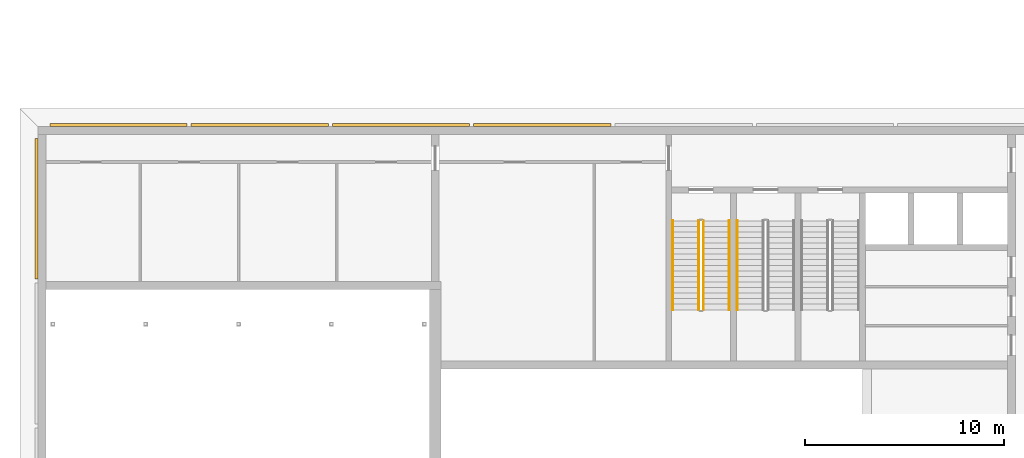
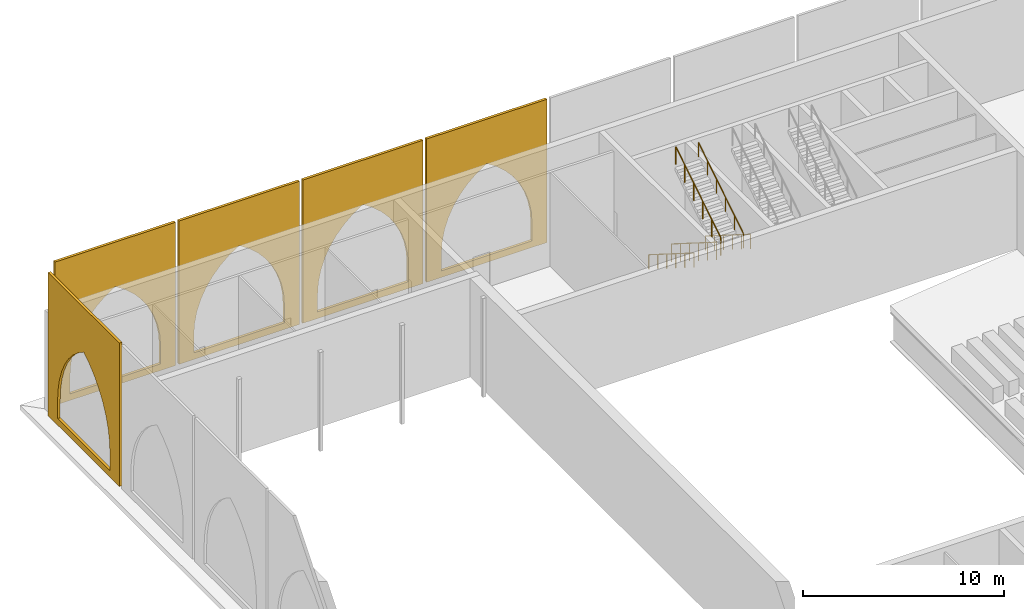
# One storey, part 47 of 74: 5 coverings, 5 railings.
"""IFC4 building model written with IfcOpenShell, lengths in metres."""

from ifc_helpers import new_model, si_unit, direction, frame, origin, origin_2d, place, context, subcontext, project, spatial, polyline, rectangle, outline, extrude, material, layer, layer_set, type_object, element, save


model = new_model("IFC4")

# Units and contexts
model_context = context("Model", 3, precision=1e-05, world=origin(), true_north=direction((0.0, 1.0)))
body_context = subcontext(model_context, "Body", "Model", "MODEL_VIEW")
ifc_project = project(units=[si_unit("LENGTHUNIT", "METRE"), si_unit("AREAUNIT", "SQUARE_METRE"), si_unit("VOLUMEUNIT", "CUBIC_METRE"), si_unit("PLANEANGLEUNIT", "RADIAN"), si_unit("MASSUNIT", "GRAM", prefix="KILO")], contexts=[model_context])

# Site, building, storey
site_placement = place(None, origin())
site = spatial("IfcSite", under=ifc_project, at=site_placement, CompositionType="ELEMENT")
building_placement = place(site_placement, origin())
building = spatial("IfcBuilding", under=site, at=building_placement, Name="Noorbagh Ring Tower", CompositionType="ELEMENT")
storey_placement = place(building_placement, frame((0.0, 0.0, 13.5)))
storey = spatial("IfcBuildingStorey", under=building, at=storey_placement, Name="L02", CompositionType="ELEMENT", Elevation=13.5)

# Coverings
ifc_material_1 = material(Name="Red sandstone cladding", Category="masonry")
ifc_layer = layer(ifc_material_1, 0.14990234375)
ifc_layer_set = layer_set([ifc_layer], Name="Red sandstone cladding")
covering_type = type_object("IfcCoveringType", Name="STH-BLIND", PredefinedType="USERDEFINED", material=ifc_layer_set)
for number, where, z_axis, x_axis, name in (
    (1, (-131.155517578125, 31.14990234375, 0.0), (0.0, 1.0, 0.0), (-1.0, 0.0, 0.0), "Blind arch bay"),
    (2, (-138.2666015625, 31.14990234375, 0.0), (0.0, 1.0, 0.0), (-1.0, 0.0, 0.0), "Blind arch bay"),
    (3, (-145.377685546875, 31.14990234375, 0.0), (0.0, 1.0, 0.0), (-1.0, 0.0, 0.0), "Blind arch bay"),
):
    element("IfcCovering", number, at=place(storey_placement, frame(where, z_axis=z_axis, x_axis=x_axis)), inside=storey, type_object=covering_type, Name=name, ObjectType="ARCH", PredefinedType="USERDEFINED", context=body_context, shape_type="SweptSolid", body=[
        extrude(outline(polyline([(0.0, 0.0), (6.9111328125, 0.0), (6.9111328125, 8.699951171875), (0.0, 8.699951171875), (0.0, 0.0)]), holes=[polyline([(0.855712890625, 0.39990234375), (0.855712890625, 1.5), (0.900146484375, 2.1787109375), (1.03271484375, 2.845947265625), (1.25146484375, 3.489990234375), (1.55224609375, 4.10009765625), (1.93017578125, 4.66552734375), (2.378662109375, 5.177001953125), (2.889892578125, 5.62548828125), (3.45556640625, 6.00341796875), (4.021240234375, 5.62548828125), (4.53271484375, 5.177001953125), (4.98095703125, 4.66552734375), (5.35888671875, 4.10009765625), (5.659912109375, 3.489990234375), (5.87841796875, 2.845947265625), (6.010986328125, 2.1787109375), (6.0556640625, 1.5), (6.0556640625, 0.39990234375), (0.855712890625, 0.39990234375)])]), origin(), (0.0, 0.0, -1.0), 0.14990234375),
    ])
covering_1_placement = place(storey_placement, frame((-152.489013671875, 31.14990234375, 0.0), z_axis=(0.0, 1.0, 0.0), x_axis=(-1.0, 0.0, 0.0)))
element("IfcCovering", 4, at=covering_1_placement, inside=storey, type_object=covering_type, Name="Blind arch bay", ObjectType="ARCH", PredefinedType="USERDEFINED", context=body_context, shape_type="SweptSolid", body=[
    extrude(outline(polyline([(0.0, 0.0), (6.910888671875, 0.0), (6.910888671875, 8.699951171875), (0.0, 8.699951171875), (0.0, 0.0)]), holes=[polyline([(0.855712890625, 0.39990234375), (0.855712890625, 1.5), (0.900146484375, 2.1787109375), (1.03271484375, 2.845947265625), (1.25146484375, 3.489990234375), (1.55224609375, 4.10009765625), (1.93017578125, 4.66552734375), (2.378662109375, 5.177001953125), (2.889892578125, 5.62548828125), (3.45556640625, 6.00341796875), (4.021240234375, 5.62548828125), (4.53271484375, 5.177001953125), (4.98095703125, 4.66552734375), (5.35888671875, 4.10009765625), (5.659912109375, 3.489990234375), (5.87841796875, 2.845947265625), (6.010986328125, 2.1787109375), (6.0556640625, 1.5), (6.0556640625, 0.39990234375), (0.855712890625, 0.39990234375)])]), origin(), (0.0, 0.0, -1.0), 0.14990234375),
])
covering_2_placement = place(storey_placement, frame((-160.14990234375, 30.39990234375, 0.0), z_axis=(-1.0, 0.0, 0.0), x_axis=(0.0, -1.0, 0.0)))
element("IfcCovering", 5, at=covering_2_placement, inside=storey, type_object=covering_type, Name="Blind arch bay", ObjectType="ARCH", PredefinedType="USERDEFINED", context=body_context, shape_type="SweptSolid", body=[
    extrude(outline(polyline([(0.0, 0.0), (7.085693359375, 0.0), (7.085693359375, 8.699951171875), (0.0, 8.699951171875), (0.0, 0.0)]), holes=[polyline([(0.94287109375, 0.39990234375), (0.94287109375, 1.5), (0.9873046875, 2.1787109375), (1.1201171875, 2.845947265625), (1.338623046875, 3.489990234375), (1.6396484375, 4.10009765625), (2.017578125, 4.66552734375), (2.4658203125, 5.177001953125), (2.977294921875, 5.62548828125), (3.54296875, 6.00341796875), (4.1083984375, 5.62548828125), (4.619873046875, 5.177001953125), (5.068359375, 4.66552734375), (5.4462890625, 4.10009765625), (5.7470703125, 3.489990234375), (5.9658203125, 2.845947265625), (6.098388671875, 2.1787109375), (6.142822265625, 1.5), (6.142822265625, 0.39990234375), (0.94287109375, 0.39990234375)])]), origin(), (0.0, 0.0, -1.0), 0.14990234375),
])

# Railings
ifc_material_2 = material(Name="Stainless steel", Category="steel")
railing_type_1 = type_object("IfcRailingType", Name="TH-STAIR-GUARD", PredefinedType="GUARDRAIL", material=ifc_material_2)
railing_1_placement = place(storey_placement, frame((-126.75, 26.25, 0.176513671875)))
element("IfcRailing", 6, at=railing_1_placement, inside=storey, type_object=railing_type_1, Name="L02 TSN3 stair guard 1", PredefinedType="GUARDRAIL", context=body_context, shape_type="SweptSolid", body=[
    extrude(rectangle(XDim=0.048095703125, YDim=0.048095703125, at=origin_2d()), frame((0.0, 0.0, 1.076171875), z_axis=(0.0, -0.845997938375, 0.533186166611), x_axis=(1.0, 0.0, 0.0)), (0.0, 0.0, 1.0), 5.29541015625),
    extrude(rectangle(XDim=0.0419921875, YDim=0.0419921875, at=origin_2d()), origin(), (0.0, 0.0, 1.0), 1.052001953125),
    extrude(rectangle(XDim=0.0419921875, YDim=0.0419921875, at=origin_2d()), frame((0.0, -0.89599609375, 0.564697265625)), (0.0, 0.0, 1.0), 1.052001953125),
    extrude(rectangle(XDim=0.0419921875, YDim=0.0419921875, at=origin_2d()), frame((0.0, -1.7919921875, 1.12939453125)), (0.0, 0.0, 1.0), 1.052001953125),
    extrude(rectangle(XDim=0.0419921875, YDim=0.0419921875, at=origin_2d()), frame((0.0, -2.68798828125, 1.694091796875)), (0.0, 0.0, 1.0), 1.052001953125),
    extrude(rectangle(XDim=0.0419921875, YDim=0.0419921875, at=origin_2d()), frame((0.0, -3.583984375, 2.2587890625)), (0.0, 0.0, 1.0), 1.052001953125),
    extrude(rectangle(XDim=0.0419921875, YDim=0.0419921875, at=origin_2d()), frame((0.0, -4.47998046875, 2.823486328125)), (0.0, 0.0, 1.0), 1.052001953125),
])
railing_2_placement = place(storey_placement, frame((-126.5, 21.77001953125, 3.176513671875)))
element("IfcRailing", 7, at=railing_2_placement, inside=storey, type_object=railing_type_1, Name="L02 TSN3 stair guard 3", PredefinedType="GUARDRAIL", context=body_context, shape_type="SweptSolid", body=[
    extrude(rectangle(XDim=0.048095703125, YDim=0.048095703125, at=origin_2d()), frame((0.0, 0.0, 1.076171875), z_axis=(0.0, 0.845997938375, 0.533186166611), x_axis=(-1.0, 0.0, 0.0)), (0.0, 0.0, 1.0), 5.29541015625),
    extrude(rectangle(XDim=0.0419921875, YDim=0.0419921875, at=origin_2d()), origin(), (0.0, 0.0, 1.0), 1.052001953125),
    extrude(rectangle(XDim=0.0419921875, YDim=0.0419921875, at=origin_2d()), frame((0.0, 0.89599609375, 0.564697265625)), (0.0, 0.0, 1.0), 1.052001953125),
    extrude(rectangle(XDim=0.0419921875, YDim=0.0419921875, at=origin_2d()), frame((0.0, 1.7919921875, 1.12939453125)), (0.0, 0.0, 1.0), 1.052001953125),
    extrude(rectangle(XDim=0.0419921875, YDim=0.0419921875, at=origin_2d()), frame((0.0, 2.68798828125, 1.694091796875)), (0.0, 0.0, 1.0), 1.052001953125),
    extrude(rectangle(XDim=0.0419921875, YDim=0.0419921875, at=origin_2d()), frame((0.0, 3.583984375, 2.2587890625)), (0.0, 0.0, 1.0), 1.052001953125),
    extrude(rectangle(XDim=0.0419921875, YDim=0.0419921875, at=origin_2d()), frame((0.0, 4.47998046875, 2.823486328125)), (0.0, 0.0, 1.0), 1.052001953125),
])
ifc_material_3 = material(Name="Stainless steel", Category="steel")
railing_type_2 = type_object("IfcRailingType", Name="TH-STAIR-HANDRAIL", PredefinedType="HANDRAIL", material=ifc_material_3)
for number, where, name in (
    (8, (-124.800048828125, 26.25, 0.176513671875), "L02 TSN1 stair handrail 1"),
    (9, (-128.050048828125, 26.25, 0.176513671875), "L02 TSN3 stair handrail 1"),
):
    element("IfcRailing", number, at=place(storey_placement, frame(where)), inside=storey, type_object=railing_type_2, Name=name, PredefinedType="HANDRAIL", context=body_context, shape_type="SweptSolid", body=[
        extrude(rectangle(XDim=0.048095703125, YDim=0.048095703125, at=origin_2d()), frame((0.0, 0.0, 0.8759765625), z_axis=(0.0, -0.845997938375, 0.533186166611), x_axis=(1.0, 0.0, 0.0)), (0.0, 0.0, 1.0), 5.29541015625),
        extrude(rectangle(XDim=0.0419921875, YDim=0.0419921875, at=origin_2d()), origin(), (0.0, 0.0, 1.0), 0.851806640625),
        extrude(rectangle(XDim=0.0419921875, YDim=0.0419921875, at=origin_2d()), frame((0.0, -0.89599609375, 0.564697265625)), (0.0, 0.0, 1.0), 0.851806640625),
        extrude(rectangle(XDim=0.0419921875, YDim=0.0419921875, at=origin_2d()), frame((0.0, -1.7919921875, 1.12939453125)), (0.0, 0.0, 1.0), 0.851806640625),
        extrude(rectangle(XDim=0.0419921875, YDim=0.0419921875, at=origin_2d()), frame((0.0, -2.68798828125, 1.694091796875)), (0.0, 0.0, 1.0), 0.851806640625),
        extrude(rectangle(XDim=0.0419921875, YDim=0.0419921875, at=origin_2d()), frame((0.0, -3.583984375, 2.2587890625)), (0.0, 0.0, 1.0), 0.851806640625),
        extrude(rectangle(XDim=0.0419921875, YDim=0.0419921875, at=origin_2d()), frame((0.0, -4.47998046875, 2.823486328125)), (0.0, 0.0, 1.0), 0.851806640625),
    ])
railing_3_placement = place(storey_placement, frame((-125.199951171875, 21.77001953125, 3.176513671875)))
element("IfcRailing", 10, at=railing_3_placement, inside=storey, type_object=railing_type_2, Name="L02 TSN3 stair handrail 2", PredefinedType="HANDRAIL", context=body_context, shape_type="SweptSolid", body=[
    extrude(rectangle(XDim=0.048095703125, YDim=0.048095703125, at=origin_2d()), frame((0.0, 0.0, 0.8759765625), z_axis=(0.0, 0.845997938375, 0.533186166611), x_axis=(-1.0, 0.0, 0.0)), (0.0, 0.0, 1.0), 5.29541015625),
    extrude(rectangle(XDim=0.0419921875, YDim=0.0419921875, at=origin_2d()), origin(), (0.0, 0.0, 1.0), 0.851806640625),
    extrude(rectangle(XDim=0.0419921875, YDim=0.0419921875, at=origin_2d()), frame((0.0, 0.89599609375, 0.564697265625)), (0.0, 0.0, 1.0), 0.851806640625),
    extrude(rectangle(XDim=0.0419921875, YDim=0.0419921875, at=origin_2d()), frame((0.0, 1.7919921875, 1.12939453125)), (0.0, 0.0, 1.0), 0.851806640625),
    extrude(rectangle(XDim=0.0419921875, YDim=0.0419921875, at=origin_2d()), frame((0.0, 2.68798828125, 1.694091796875)), (0.0, 0.0, 1.0), 0.851806640625),
    extrude(rectangle(XDim=0.0419921875, YDim=0.0419921875, at=origin_2d()), frame((0.0, 3.583984375, 2.2587890625)), (0.0, 0.0, 1.0), 0.851806640625),
    extrude(rectangle(XDim=0.0419921875, YDim=0.0419921875, at=origin_2d()), frame((0.0, 4.47998046875, 2.823486328125)), (0.0, 0.0, 1.0), 0.851806640625),
])

save(model, "model.ifc")
